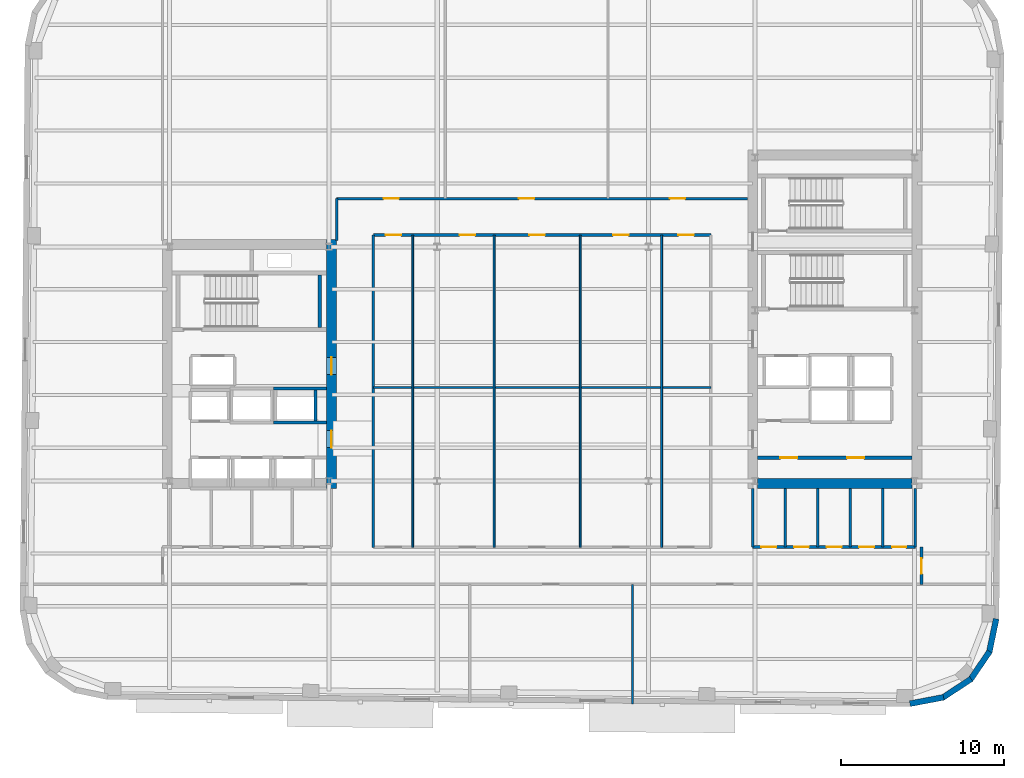
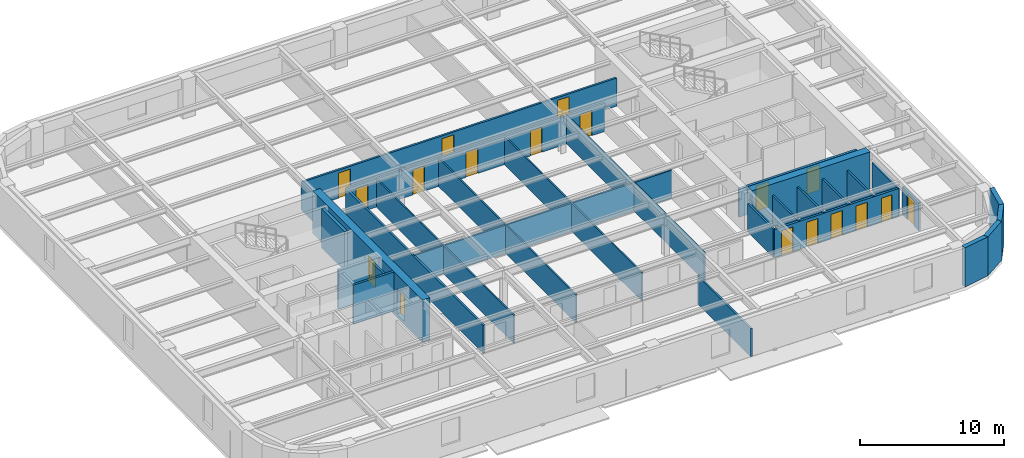
# One storey, part 5 of 11: 29 walls, 18 doors, 18 openings.
"""IFC4 building model written with IfcOpenShell, lengths in metres."""

from ifc_helpers import new_model, si_unit, direction, frame, frame_2d, origin, place, context, subcontext, project, spatial, rectangle, extrude, material, layer, layer_set, type_object, element, fill, save


model = new_model("IFC4")

# Units and contexts
model_context = context("Model", 3, precision=1e-05, world=origin(), true_north=direction((0.0, 1.0)))
body_context = subcontext(model_context, "Body", "Model", "MODEL_VIEW")
ifc_project = project(units=[si_unit("LENGTHUNIT", "METRE"), si_unit("AREAUNIT", "SQUARE_METRE"), si_unit("VOLUMEUNIT", "CUBIC_METRE"), si_unit("PLANEANGLEUNIT", "RADIAN"), si_unit("MASSUNIT", "GRAM", prefix="KILO")], contexts=[model_context])

# Site, building, storey
site_placement = place(None, origin())
site = spatial("IfcSite", under=ifc_project, at=site_placement, CompositionType="ELEMENT")
building_placement = place(site_placement, origin())
building = spatial("IfcBuilding", under=site, at=building_placement, Name="Kolvaren Arena Tower", CompositionType="ELEMENT")
storey_placement = place(building_placement, frame((0.0, 0.0, 207.199951171875)))
storey = spatial("IfcBuildingStorey", under=building, at=storey_placement, Name="L50", CompositionType="ELEMENT", Elevation=207.199951171875)

# Wall
ifc_material_1 = material(Name="Gypsum board acoustic assembly", Category="gypsum")
ifc_layer_1 = layer(ifc_material_1, 0.159912109375)
ifc_layer_set_1 = layer_set([ifc_layer_1], Name="Gypsum board acoustic assembly")
wall_type_1 = type_object("IfcWallType", Name="CORR-160", PredefinedType="PARTITIONING", material=ifc_layer_set_1)
wall_1_placement = place(storey_placement, frame((24.820068359375, 34.25, 0.0), z_axis=(0.0, 0.0, 1.0), x_axis=(0.0, 1.0, 0.0)))
element("IfcWall", 1, at=wall_1_placement, inside=storey, type_object=wall_type_1, Name="Interior Partition Wall (L50)", PredefinedType="PARTITIONING", context=body_context, shape_type="SweptSolid", body=[
    extrude(rectangle(XDim=2.570068359375, YDim=0.159912109375, at=frame_2d((1.28515625, 0.0))), origin(), (0.0, 0.0, 1.0), 2.39013671875),
])

# Wall, openings, doors
wall_2_placement = place(storey_placement, frame((24.820068359375, 36.820068359375, 0.0), z_axis=(0.0, 0.0, 1.0), x_axis=(1.0, 0.0, 0.0)))
wall_2 = element("IfcWall", 2, at=wall_2_placement, inside=storey, type_object=wall_type_1, Name="Interior Partition Wall (L50)", PredefinedType="PARTITIONING", context=body_context, shape_type="SweptSolid", body=[
    extrude(rectangle(XDim=25.260009765625, YDim=0.159912109375, at=frame_2d((12.6298828125, 0.0))), origin(), (0.0, 0.0, 1.0), 2.39013671875),
])
opening_1_placement = place(wall_2_placement, frame((2.8798828125, 0.0, 0.0)))
opening_1 = element("IfcOpeningElement", 3, at=opening_1_placement, cuts=wall_2, Name="Opening D05", PredefinedType="OPENING", context=body_context, shape_type="SweptSolid", body=[
    extrude(rectangle(XDim=0.949951171875, YDim=2.14990234375, at=frame_2d((0.47509765625, 1.074951171875))), frame((0.0, 0.08984375, 0.0), z_axis=(0.0, -1.0, 0.0), x_axis=(1.0, 0.0, 0.0)), (0.0, 0.0, 1.0), 0.179931640625),
])
opening_2_placement = place(wall_2_placement, frame((11.205078125, 0.0, 0.0)))
opening_2 = element("IfcOpeningElement", 4, at=opening_2_placement, cuts=wall_2, Name="Opening D05", PredefinedType="OPENING", context=body_context, shape_type="SweptSolid", body=[
    extrude(rectangle(XDim=0.949951171875, YDim=2.14990234375, at=frame_2d((0.47509765625, 1.074951171875))), frame((0.0, 0.08984375, 0.0), z_axis=(0.0, -1.0, 0.0), x_axis=(1.0, 0.0, 0.0)), (0.0, 0.0, 1.0), 0.179931640625),
])
opening_3_placement = place(wall_2_placement, frame((20.47998046875, 0.0, 0.0)))
opening_3 = element("IfcOpeningElement", 5, at=opening_3_placement, cuts=wall_2, Name="Opening D05", PredefinedType="OPENING", context=body_context, shape_type="SweptSolid", body=[
    extrude(rectangle(XDim=0.949951171875, YDim=2.14990234375, at=frame_2d((0.47509765625, 1.074951171875))), frame((0.0, 0.08984375, 0.0), z_axis=(0.0, -1.0, 0.0), x_axis=(1.0, 0.0, 0.0)), (0.0, 0.0, 1.0), 0.179931640625),
])
ifc_material_2 = material(Name="Solid-core oak acoustic office door", Category="wood")
door_type_1 = type_object("IfcDoorType", Name="DOOR-OF-095", OperationType="NOTDEFINED", PredefinedType="DOOR", material=ifc_material_2)
door_1_placement = place(opening_1_placement, origin())
door_1 = element("IfcDoor", 6, at=door_1_placement, inside=storey, type_object=door_type_1, Name="Open Plan Office Door (L50)", OperationType="SINGLE_SWING_LEFT", OverallHeight=2.14990234375, OverallWidth=0.949951171875, PredefinedType="DOOR", context=body_context, shape_type="SweptSolid", body=[
    extrude(rectangle(XDim=0.949951171875, YDim=2.14990234375, at=frame_2d((0.47509765625, 1.074951171875))), frame((0.0, 0.02490234375, 0.0), z_axis=(0.0, -1.0, 0.0), x_axis=(1.0, 0.0, 0.0)), (0.0, 0.0, 1.0), 0.050048828125),
])
fill(opening_1, door_1)
door_2_placement = place(opening_2_placement, origin())
door_2 = element("IfcDoor", 7, at=door_2_placement, inside=storey, type_object=door_type_1, Name="Corporate Project Office Door (L50)", OperationType="SINGLE_SWING_RIGHT", OverallHeight=2.14990234375, OverallWidth=0.949951171875, PredefinedType="DOOR", context=body_context, shape_type="SweptSolid", body=[
    extrude(rectangle(XDim=0.949951171875, YDim=2.14990234375, at=frame_2d((0.47509765625, 1.074951171875))), frame((0.0, 0.02490234375, 0.0), z_axis=(0.0, -1.0, 0.0), x_axis=(1.0, 0.0, 0.0)), (0.0, 0.0, 1.0), 0.050048828125),
])
fill(opening_2, door_2)
door_3_placement = place(opening_3_placement, origin())
door_3 = element("IfcDoor", 8, at=door_3_placement, inside=storey, type_object=door_type_1, Name="Breakout Pantry and Kitchen Door (L50)", OperationType="SINGLE_SWING_LEFT", OverallHeight=2.14990234375, OverallWidth=0.949951171875, PredefinedType="DOOR", context=body_context, shape_type="SweptSolid", body=[
    extrude(rectangle(XDim=0.949951171875, YDim=2.14990234375, at=frame_2d((0.47509765625, 1.074951171875))), frame((0.0, 0.02490234375, 0.0), z_axis=(0.0, -1.0, 0.0), x_axis=(1.0, 0.0, 0.0)), (0.0, 0.0, 1.0), 0.050048828125),
])
fill(opening_3, door_3)

wall_3_placement = place(storey_placement, frame((27.080078125, 34.580078125, 0.0), z_axis=(0.0, 0.0, 1.0), x_axis=(1.0, 0.0, 0.0)))
wall_3 = element("IfcWall", 9, at=wall_3_placement, inside=storey, type_object=wall_type_1, Name="Interior Partition Wall (L50)", PredefinedType="PARTITIONING", context=body_context, shape_type="SweptSolid", body=[
    extrude(rectangle(XDim=20.739990234375, YDim=0.159912109375, at=frame_2d((10.3701171875, 0.0))), origin(), (0.0, 0.0, 1.0), 2.39013671875),
])
opening_4_placement = place(wall_3_placement, frame((0.7451171875, 0.0, 0.0)))
opening_4 = element("IfcOpeningElement", 10, at=opening_4_placement, cuts=wall_3, Name="Opening D05", PredefinedType="OPENING", context=body_context, shape_type="SweptSolid", body=[
    extrude(rectangle(XDim=0.949951171875, YDim=2.14990234375, at=frame_2d((0.47509765625, 1.074951171875))), frame((0.0, 0.08984375, 0.0), z_axis=(0.0, -1.0, 0.0), x_axis=(1.0, 0.0, 0.0)), (0.0, 0.0, 1.0), 0.179931640625),
])
opening_5_placement = place(wall_3_placement, frame((5.294921875, 0.0, 0.0)))
opening_5 = element("IfcOpeningElement", 11, at=opening_5_placement, cuts=wall_3, Name="Opening D05", PredefinedType="OPENING", context=body_context, shape_type="SweptSolid", body=[
    extrude(rectangle(XDim=0.949951171875, YDim=2.14990234375, at=frame_2d((0.47509765625, 1.074951171875))), frame((0.0, 0.08984375, 0.0), z_axis=(0.0, -1.0, 0.0), x_axis=(1.0, 0.0, 0.0)), (0.0, 0.0, 1.0), 0.179931640625),
])
opening_6_placement = place(wall_3_placement, frame((9.594970703125, 0.0, 0.0)))
opening_6 = element("IfcOpeningElement", 12, at=opening_6_placement, cuts=wall_3, Name="Opening D05", PredefinedType="OPENING", context=body_context, shape_type="SweptSolid", body=[
    extrude(rectangle(XDim=0.949951171875, YDim=2.14990234375, at=frame_2d((0.47509765625, 1.074951171875))), frame((0.0, 0.08984375, 0.0), z_axis=(0.0, -1.0, 0.0), x_axis=(1.0, 0.0, 0.0)), (0.0, 0.0, 1.0), 0.179931640625),
])
opening_7_placement = place(wall_3_placement, frame((14.7451171875, 0.0, 0.0)))
opening_7 = element("IfcOpeningElement", 13, at=opening_7_placement, cuts=wall_3, Name="Opening D05", PredefinedType="OPENING", context=body_context, shape_type="SweptSolid", body=[
    extrude(rectangle(XDim=0.949951171875, YDim=2.14990234375, at=frame_2d((0.47509765625, 1.074951171875))), frame((0.0, 0.08984375, 0.0), z_axis=(0.0, -1.0, 0.0), x_axis=(1.0, 0.0, 0.0)), (0.0, 0.0, 1.0), 0.179931640625),
])
opening_8_placement = place(wall_3_placement, frame((18.7451171875, 0.0, 0.0)))
opening_8 = element("IfcOpeningElement", 14, at=opening_8_placement, cuts=wall_3, Name="Opening D05", PredefinedType="OPENING", context=body_context, shape_type="SweptSolid", body=[
    extrude(rectangle(XDim=0.949951171875, YDim=2.14990234375, at=frame_2d((0.47509765625, 1.074951171875))), frame((0.0, 0.08984375, 0.0), z_axis=(0.0, -1.0, 0.0), x_axis=(1.0, 0.0, 0.0)), (0.0, 0.0, 1.0), 0.179931640625),
])
door_4_placement = place(opening_4_placement, origin())
door_4 = element("IfcDoor", 15, at=door_4_placement, inside=storey, type_object=door_type_1, Name="Design Studio Door (L50)", OperationType="SINGLE_SWING_RIGHT", OverallHeight=2.14990234375, OverallWidth=0.949951171875, PredefinedType="DOOR", context=body_context, shape_type="SweptSolid", body=[
    extrude(rectangle(XDim=0.949951171875, YDim=2.14990234375, at=frame_2d((0.47509765625, 1.074951171875))), frame((0.0, 0.02490234375, 0.0), z_axis=(0.0, -1.0, 0.0), x_axis=(1.0, 0.0, 0.0)), (0.0, 0.0, 1.0), 0.050048828125),
])
fill(opening_4, door_4)
door_5_placement = place(opening_5_placement, origin())
door_5 = element("IfcDoor", 16, at=door_5_placement, inside=storey, type_object=door_type_1, Name="Design Studio Door (L50)", OperationType="SINGLE_SWING_RIGHT", OverallHeight=2.14990234375, OverallWidth=0.949951171875, PredefinedType="DOOR", context=body_context, shape_type="SweptSolid", body=[
    extrude(rectangle(XDim=0.949951171875, YDim=2.14990234375, at=frame_2d((0.47509765625, 1.074951171875))), frame((0.0, 0.02490234375, 0.0), z_axis=(0.0, -1.0, 0.0), x_axis=(1.0, 0.0, 0.0)), (0.0, 0.0, 1.0), 0.050048828125),
])
fill(opening_5, door_5)
door_6_placement = place(opening_6_placement, origin())
door_6 = element("IfcDoor", 17, at=door_6_placement, inside=storey, type_object=door_type_1, Name="Boardroom Door (L50)", OperationType="SINGLE_SWING_RIGHT", OverallHeight=2.14990234375, OverallWidth=0.949951171875, PredefinedType="DOOR", context=body_context, shape_type="SweptSolid", body=[
    extrude(rectangle(XDim=0.949951171875, YDim=2.14990234375, at=frame_2d((0.47509765625, 1.074951171875))), frame((0.0, 0.02490234375, 0.0), z_axis=(0.0, -1.0, 0.0), x_axis=(1.0, 0.0, 0.0)), (0.0, 0.0, 1.0), 0.050048828125),
])
fill(opening_6, door_6)
door_7_placement = place(opening_7_placement, origin())
door_7 = element("IfcDoor", 18, at=door_7_placement, inside=storey, type_object=door_type_1, Name="Design Studio Door (L50)", OperationType="SINGLE_SWING_RIGHT", OverallHeight=2.14990234375, OverallWidth=0.949951171875, PredefinedType="DOOR", context=body_context, shape_type="SweptSolid", body=[
    extrude(rectangle(XDim=0.949951171875, YDim=2.14990234375, at=frame_2d((0.47509765625, 1.074951171875))), frame((0.0, 0.02490234375, 0.0), z_axis=(0.0, -1.0, 0.0), x_axis=(1.0, 0.0, 0.0)), (0.0, 0.0, 1.0), 0.050048828125),
])
fill(opening_7, door_7)
door_8_placement = place(opening_8_placement, origin())
door_8 = element("IfcDoor", 19, at=door_8_placement, inside=storey, type_object=door_type_1, Name="Design Studio Door (L50)", OperationType="SINGLE_SWING_RIGHT", OverallHeight=2.14990234375, OverallWidth=0.949951171875, PredefinedType="DOOR", context=body_context, shape_type="SweptSolid", body=[
    extrude(rectangle(XDim=0.949951171875, YDim=2.14990234375, at=frame_2d((0.47509765625, 1.074951171875))), frame((0.0, 0.02490234375, 0.0), z_axis=(0.0, -1.0, 0.0), x_axis=(1.0, 0.0, 0.0)), (0.0, 0.0, 1.0), 0.050048828125),
])
fill(opening_8, door_8)

# Wall
wall_4_placement = place(storey_placement, frame((27.080078125, 15.3798828125, 0.0), z_axis=(0.0, 0.0, 1.0), x_axis=(0.0, 1.0, 0.0)))
element("IfcWall", 20, at=wall_4_placement, inside=storey, type_object=wall_type_1, Name="Interior Partition Wall (L50)", PredefinedType="PARTITIONING", context=body_context, shape_type="SweptSolid", body=[
    extrude(rectangle(XDim=19.2001953125, YDim=0.159912109375, at=frame_2d((9.60009765625, 0.0))), origin(), (0.0, 0.0, 1.0), 2.39013671875),
])

# Wall, opening, door
wall_5_placement = place(storey_placement, frame((60.780029296875, 13.10009765625, 0.0), z_axis=(0.0, 0.0, 1.0), x_axis=(0.0, 1.0, 0.0)))
wall_5 = element("IfcWall", 21, at=wall_5_placement, inside=storey, type_object=wall_type_1, Name="Interior Partition Wall (L50)", PredefinedType="PARTITIONING", context=body_context, shape_type="SweptSolid", body=[
    extrude(rectangle(XDim=2.2998046875, YDim=0.159912109375, at=frame_2d((1.14990234375, 0.0))), origin(), (0.0, 0.0, 1.0), 2.39013671875),
])
opening_9_placement = place(wall_5_placement, frame((0.64990234375, 0.0, 0.0)))
opening_9 = element("IfcOpeningElement", 22, at=opening_9_placement, cuts=wall_5, Name="Opening D05", PredefinedType="OPENING", context=body_context, shape_type="SweptSolid", body=[
    extrude(rectangle(XDim=0.949951171875, YDim=2.14990234375, at=frame_2d((0.47509765625, 1.074951171875))), frame((0.0, 0.08984375, 0.0), z_axis=(0.0, -1.0, 0.0), x_axis=(1.0, 0.0, 0.0)), (0.0, 0.0, 1.0), 0.179931640625),
])
door_9_placement = place(opening_9_placement, origin())
door_9 = element("IfcDoor", 23, at=door_9_placement, inside=storey, type_object=door_type_1, Name="East Wing Studio Door (L50)", OperationType="SINGLE_SWING_RIGHT", OverallHeight=2.14990234375, OverallWidth=0.949951171875, PredefinedType="DOOR", context=body_context, shape_type="SweptSolid", body=[
    extrude(rectangle(XDim=0.949951171875, YDim=2.14990234375, at=frame_2d((0.47509765625, 1.074951171875))), frame((0.0, 0.02490234375, 0.0), z_axis=(0.0, -1.0, 0.0), x_axis=(1.0, 0.0, 0.0)), (0.0, 0.0, 1.0), 0.050048828125),
])
fill(opening_9, door_9)

# Wall, openings, doors
ifc_material_3 = material(Name="Concrete 60 MPa", Category="concrete")
ifc_layer_2 = layer(ifc_material_3, 0.60009765625)
ifc_layer_set_2 = layer_set([ifc_layer_2], Name="Concrete 60 MPa")
wall_type_2 = type_object("IfcWallType", Name="CWALL-600", PredefinedType="SHEAR", material=ifc_layer_set_2)
wall_6_placement = place(storey_placement, frame((24.5, 19.0, -0.27001953125), z_axis=(0.0, 0.0, 1.0), x_axis=(0.0, 1.0, 0.0)))
wall_6 = element("IfcWall", 24, at=wall_6_placement, inside=storey, type_object=wall_type_2, Name="Core Shear Wall WC-EAST (L50)", PredefinedType="SHEAR", context=body_context, shape_type="SweptSolid", body=[
    extrude(rectangle(XDim=15.300048828125, YDim=0.60009765625, at=frame_2d((7.64990234375, 0.0))), origin(), (0.0, 0.0, 1.0), 3.60009765625),
])
opening_10_placement = place(wall_6_placement, frame((2.5, 0.0, 0.27001953125)))
opening_10 = element("IfcOpeningElement", 25, at=opening_10_placement, cuts=wall_6, Name="Opening D04", PredefinedType="OPENING", context=body_context, shape_type="SweptSolid", body=[
    extrude(rectangle(XDim=1.050048828125, YDim=2.14990234375, at=frame_2d((0.52490234375, 1.074951171875))), frame((0.0, 0.31005859375, 0.0), z_axis=(0.0, -1.0, 0.0), x_axis=(1.0, 0.0, 0.0)), (0.0, 0.0, 1.0), 0.6201171875),
])
opening_11_placement = place(wall_6_placement, frame((7.0, 0.0, 0.27001953125)))
opening_11 = element("IfcOpeningElement", 26, at=opening_11_placement, cuts=wall_6, Name="Opening D04", PredefinedType="OPENING", context=body_context, shape_type="SweptSolid", body=[
    extrude(rectangle(XDim=1.050048828125, YDim=2.14990234375, at=frame_2d((0.52490234375, 1.074951171875))), frame((0.0, 0.31005859375, 0.0), z_axis=(0.0, -1.0, 0.0), x_axis=(1.0, 0.0, 0.0)), (0.0, 0.0, 1.0), 0.6201171875),
])
ifc_material_4 = material(Name="Fire-rated steel lobby door", Category="steel")
door_type_2 = type_object("IfcDoorType", Name="DOOR-FF-105", OperationType="NOTDEFINED", PredefinedType="DOOR", material=ifc_material_4)
door_10_placement = place(opening_10_placement, origin())
door_10 = element("IfcDoor", 27, at=door_10_placement, inside=storey, type_object=door_type_2, Name="West Lift Lobby Fire Door (L50)", OperationType="SINGLE_SWING_LEFT", OverallHeight=2.14990234375, OverallWidth=1.050048828125, PredefinedType="DOOR", context=body_context, shape_type="SweptSolid", body=[
    extrude(rectangle(XDim=1.050048828125, YDim=2.14990234375, at=frame_2d((0.52490234375, 1.074951171875))), frame((0.0, 0.02490234375, 0.0), z_axis=(0.0, -1.0, 0.0), x_axis=(1.0, 0.0, 0.0)), (0.0, 0.0, 1.0), 0.050048828125),
])
fill(opening_10, door_10)
door_11_placement = place(opening_11_placement, origin())
door_11 = element("IfcDoor", 28, at=door_11_placement, inside=storey, type_object=door_type_2, Name="West Firefighter Vestibule Door (L50)", OperationType="SINGLE_SWING_RIGHT", OverallHeight=2.14990234375, OverallWidth=1.050048828125, PredefinedType="DOOR", context=body_context, shape_type="SweptSolid", body=[
    extrude(rectangle(XDim=1.050048828125, YDim=2.14990234375, at=frame_2d((0.52490234375, 1.074951171875))), frame((0.0, 0.02490234375, 0.0), z_axis=(0.0, -1.0, 0.0), x_axis=(1.0, 0.0, 0.0)), (0.0, 0.0, 1.0), 0.050048828125),
])
fill(opening_11, door_11)

# Walls
wall_7_placement = place(storey_placement, frame((50.699951171875, 19.300048828125, -0.27001953125), z_axis=(0.0, 0.0, 1.0), x_axis=(1.0, 0.0, 0.0)))
element("IfcWall", 29, at=wall_7_placement, inside=storey, type_object=wall_type_2, Name="Core Shear Wall EC-SOUTH (L50)", PredefinedType="SHEAR", context=body_context, shape_type="SweptSolid", body=[
    extrude(rectangle(XDim=9.5, YDim=0.60009765625, at=frame_2d((4.75, 0.0))), origin(), (0.0, 0.0, 1.0), 3.60009765625),
])
ifc_material_5 = material(Name="Precast concrete C50/60", Category="concrete")
ifc_layer_3 = layer(ifc_material_5, 0.360107421875)
ifc_layer_set_3 = layer_set([ifc_layer_3], Name="Precast concrete C50/60")
wall_type_3 = type_object("IfcWallType", Name="EXT-PIER2", PredefinedType="SOLIDWALL", material=ifc_layer_set_3)
wall_8_placement = place(storey_placement, frame((62.136474609375, 6.155029296875, 0.0), z_axis=(0.0, 0.0, 1.0), x_axis=(-0.98246713518, -0.186435855703, 0.0)))
element("IfcWall", 30, at=wall_8_placement, inside=storey, type_object=wall_type_3, Name="Exterior Precast Masonry-Frame Wall (L50)", PredefinedType="SOLIDWALL", context=body_context, shape_type="SweptSolid", body=[
    extrude(rectangle(XDim=2.10693359375, YDim=0.360107421875, at=frame_2d((1.053466796875, 0.0))), origin(), (0.0, 0.0, 1.0), 3.330078125),
])
wall_9_placement = place(storey_placement, frame((63.83349609375, 7.2841796875, 0.0), z_axis=(0.0, 0.0, 1.0), x_axis=(-0.836303589916, -0.548266637224, 0.0)))
element("IfcWall", 31, at=wall_9_placement, inside=storey, type_object=wall_type_3, Name="Exterior Precast Masonry-Frame Wall (L50)", PredefinedType="SOLIDWALL", context=body_context, shape_type="SweptSolid", body=[
    extrude(rectangle(XDim=2.107177734375, YDim=0.360107421875, at=frame_2d((1.0537109375, 0.0))), origin(), (0.0, 0.0, 1.0), 3.330078125),
])
for number, where, z_axis, x_axis, name in (
    (32, (64.968994140625, 8.9765625, 0.0), (0.0, 0.0, 1.0), (-0.56277581689, -0.826609569219, 0.0), "Exterior Precast Masonry-Frame Wall (L50)"),
    (33, (65.370849609375, 10.974609375, 0.0), (0.0, 0.0, 1.0), (-0.203709000552, -0.979031482177, 0.0), "Exterior Precast Masonry-Frame Wall (L50)"),
):
    element("IfcWall", number, at=place(storey_placement, frame(where, z_axis=z_axis, x_axis=x_axis)), inside=storey, type_object=wall_type_3, Name=name, PredefinedType="SOLIDWALL", context=body_context, shape_type="SweptSolid", body=[
        extrude(rectangle(XDim=2.10693359375, YDim=0.360107421875, at=frame_2d((1.053466796875, 0.0))), origin(), (0.0, 0.0, 1.0), 3.330078125),
    ])

# Wall, openings, doors
ifc_material_6 = material(Name="Concrete 40 MPa", Category="concrete")
ifc_layer_4 = layer(ifc_material_6, 0.199951171875)
ifc_layer_set_4 = layer_set([ifc_layer_4], Name="Concrete 40 MPa")
wall_type_4 = type_object("IfcWallType", Name="LOBBY-200", PredefinedType="SOLIDWALL", material=ifc_layer_set_4)
wall_10_placement = place(storey_placement, frame((50.699951171875, 20.8798828125, 0.0), z_axis=(0.0, 0.0, 1.0), x_axis=(1.0, 0.0, 0.0)))
wall_10 = element("IfcWall", 34, at=wall_10_placement, inside=storey, type_object=wall_type_4, Name="Core Shaft Wall (L50)", PredefinedType="SOLIDWALL", context=body_context, shape_type="SweptSolid", body=[
    extrude(rectangle(XDim=9.5, YDim=0.199951171875, at=frame_2d((4.75, 0.0))), origin(), (0.0, 0.0, 1.0), 2.39013671875),
])
opening_12_placement = place(wall_10_placement, frame((1.39990234375, 0.0, 0.0)))
opening_12 = element("IfcOpeningElement", 35, at=opening_12_placement, cuts=wall_10, Name="Opening D04", PredefinedType="OPENING", context=body_context, shape_type="SweptSolid", body=[
    extrude(rectangle(XDim=1.050048828125, YDim=2.14990234375, at=frame_2d((0.52490234375, 1.074951171875))), frame((0.0, 0.10986328125, 0.0), z_axis=(0.0, -1.0, 0.0), x_axis=(1.0, 0.0, 0.0)), (0.0, 0.0, 1.0), 0.219970703125),
])
opening_13_placement = place(wall_10_placement, frame((5.5, 0.0, 0.0)))
opening_13 = element("IfcOpeningElement", 36, at=opening_13_placement, cuts=wall_10, Name="Opening D04", PredefinedType="OPENING", context=body_context, shape_type="SweptSolid", body=[
    extrude(rectangle(XDim=1.050048828125, YDim=2.14990234375, at=frame_2d((0.52490234375, 1.074951171875))), frame((0.0, 0.10986328125, 0.0), z_axis=(0.0, -1.0, 0.0), x_axis=(1.0, 0.0, 0.0)), (0.0, 0.0, 1.0), 0.219970703125),
])
door_12_placement = place(opening_12_placement, origin())
door_12 = element("IfcDoor", 37, at=door_12_placement, inside=storey, type_object=door_type_2, Name="East Telecom Room Fire Door (L50)", OperationType="SINGLE_SWING_RIGHT", OverallHeight=2.14990234375, OverallWidth=1.050048828125, PredefinedType="DOOR", context=body_context, shape_type="SweptSolid", body=[
    extrude(rectangle(XDim=1.050048828125, YDim=2.14990234375, at=frame_2d((0.52490234375, 1.074951171875))), frame((0.0, 0.02490234375, 0.0), z_axis=(0.0, -1.0, 0.0), x_axis=(1.0, 0.0, 0.0)), (0.0, 0.0, 1.0), 0.050048828125),
])
fill(opening_12, door_12)
door_13_placement = place(opening_13_placement, origin())
door_13 = element("IfcDoor", 38, at=door_13_placement, inside=storey, type_object=door_type_2, Name="East Records Room Fire Door (L50)", OperationType="SINGLE_SWING_LEFT", OverallHeight=2.14990234375, OverallWidth=1.050048828125, PredefinedType="DOOR", context=body_context, shape_type="SweptSolid", body=[
    extrude(rectangle(XDim=1.050048828125, YDim=2.14990234375, at=frame_2d((0.52490234375, 1.074951171875))), frame((0.0, 0.02490234375, 0.0), z_axis=(0.0, -1.0, 0.0), x_axis=(1.0, 0.0, 0.0)), (0.0, 0.0, 1.0), 0.050048828125),
])
fill(opening_13, door_13)

# Walls
ifc_material_7 = material(Name="Gypsum board partition assembly", Category="gypsum")
ifc_layer_5 = layer(ifc_material_7, 0.114990234375)
ifc_layer_set_5 = layer_set([ifc_layer_5], Name="Gypsum board partition assembly")
wall_type_5 = type_object("IfcWallType", Name="PART-115", PredefinedType="PARTITIONING", material=ifc_layer_set_5)
for number, where, z_axis, x_axis, name in (
    (39, (29.5, 15.3798828125, 0.0), (0.0, 0.0, 1.0), (0.0, 1.0, 0.0), "Interior Partition Wall (L50)"),
    (40, (34.5, 15.3798828125, 0.0), (0.0, 0.0, 1.0), (0.0, 1.0, 0.0), "Interior Partition Wall (L50)"),
    (41, (39.800048828125, 15.3798828125, 0.0), (0.0, 0.0, 1.0), (0.0, 1.0, 0.0), "Interior Partition Wall (L50)"),
    (42, (44.800048828125, 15.3798828125, 0.0), (0.0, 0.0, 1.0), (0.0, 1.0, 0.0), "Interior Partition Wall (L50)"),
):
    element("IfcWall", number, at=place(storey_placement, frame(where, z_axis=z_axis, x_axis=x_axis)), inside=storey, type_object=wall_type_5, Name=name, PredefinedType="PARTITIONING", context=body_context, shape_type="SweptSolid", body=[
        extrude(rectangle(XDim=19.2001953125, YDim=0.114990234375, at=frame_2d((9.60009765625, 0.0))), origin(), (0.0, 0.0, 1.0), 2.39013671875),
    ])
ifc_layer_6 = layer(ifc_material_7, 0.135009765625)
ifc_layer_set_6 = layer_set([ifc_layer_6], Name="Gypsum board partition assembly")
wall_type_6 = type_object("IfcWallType", Name="PART-135", PredefinedType="PARTITIONING", material=ifc_layer_set_6)
wall_11_placement = place(storey_placement, frame((43.0, 5.734619140625, 0.0), z_axis=(0.0, 0.0, 1.0), x_axis=(0.0, 1.0, 0.0)))
element("IfcWall", 43, at=wall_11_placement, inside=storey, type_object=wall_type_6, Name="Interior Partition Wall (L50)", PredefinedType="PARTITIONING", context=body_context, shape_type="SweptSolid", body=[
    extrude(rectangle(XDim=7.365478515625, YDim=0.135009765625, at=frame_2d((3.6826171875, 0.0))), origin(), (0.0, 0.0, 1.0), 2.39013671875),
])
wall_12_placement = place(storey_placement, frame((27.080078125, 25.199951171875, 0.0), z_axis=(0.0, 0.0, 1.0), x_axis=(1.0, 0.0, 0.0)))
element("IfcWall", 44, at=wall_12_placement, inside=storey, type_object=wall_type_6, Name="Interior Partition Wall (L50)", PredefinedType="PARTITIONING", context=body_context, shape_type="SweptSolid", body=[
    extrude(rectangle(XDim=20.739990234375, YDim=0.135009765625, at=frame_2d((10.3701171875, 0.0))), origin(), (0.0, 0.0, 1.0), 2.39013671875),
])
ifc_material_8 = material(Name="Concrete 45 MPa", Category="concrete")
ifc_layer_7 = layer(ifc_material_8, 0.25)
ifc_layer_set_7 = layer_set([ifc_layer_7], Name="Concrete 45 MPa")
wall_type_7 = type_object("IfcWallType", Name="SHAFT-250", PredefinedType="SOLIDWALL", material=ifc_layer_set_7)
wall_13_placement = place(storey_placement, frame((23.780029296875, 28.89990234375, 0.0), z_axis=(0.0, 0.0, 1.0), x_axis=(0.0, 1.0, 0.0)))
element("IfcWall", 45, at=wall_13_placement, inside=storey, type_object=wall_type_7, Name="Core Shaft Wall (L50)", PredefinedType="SOLIDWALL", context=body_context, shape_type="SweptSolid", body=[
    extrude(rectangle(XDim=3.22998046875, YDim=0.239990234375, at=frame_2d((1.614990234375, 0.0))), origin(), (0.0, 0.0, 1.0), 3.330078125),
])
for number, where, z_axis, x_axis, name in (
    (46, (20.949951171875, 25.155029296875, 0.0), (0.0, 0.0, 1.0), (1.0, 0.0, 0.0), "Core Shaft Wall (L50)"),
    (47, (20.949951171875, 23.044921875, 0.0), (0.0, 0.0, 1.0), (1.0, 0.0, 0.0), "Core Shaft Wall (L50)"),
):
    element("IfcWall", number, at=place(storey_placement, frame(where, z_axis=z_axis, x_axis=x_axis)), inside=storey, type_object=wall_type_7, Name=name, PredefinedType="SOLIDWALL", context=body_context, shape_type="SweptSolid", body=[
        extrude(rectangle(XDim=3.25, YDim=0.179931640625, at=frame_2d((1.625, 0.0))), origin(), (0.0, 0.0, 1.0), 3.330078125),
    ])
wall_14_placement = place(storey_placement, frame((23.530029296875, 23.135009765625, 0.0), z_axis=(0.0, 0.0, 1.0), x_axis=(0.0, 1.0, 0.0)))
element("IfcWall", 48, at=wall_14_placement, inside=storey, type_object=wall_type_7, Name="Core Shaft Wall (L50)", PredefinedType="SOLIDWALL", context=body_context, shape_type="SweptSolid", body=[
    extrude(rectangle(XDim=1.929931640625, YDim=0.179931640625, at=frame_2d((0.96484375, 0.0))), origin(), (0.0, 0.0, 1.0), 3.330078125),
])

# Wall, openings, doors
wall_15_placement = place(storey_placement, frame((50.39990234375, 15.39990234375, 0.0), z_axis=(0.0, 0.0, 1.0), x_axis=(1.0, 0.0, 0.0)))
wall_15 = element("IfcWall", 49, at=wall_15_placement, inside=storey, type_object=wall_type_7, Name="Interior Partition Wall (L50)", PredefinedType="SOLIDWALL", context=body_context, shape_type="SweptSolid", body=[
    extrude(rectangle(XDim=10.0, YDim=0.179931640625, at=frame_2d((5.0, 0.0))), origin(), (0.0, 0.0, 1.0), 2.39013671875),
])
opening_14_placement = place(wall_15_placement, frame((0.5400390625, 0.0, 0.0)))
opening_14 = element("IfcOpeningElement", 50, at=opening_14_placement, cuts=wall_15, Name="Opening D07", PredefinedType="OPENING", context=body_context, shape_type="SweptSolid", body=[
    extrude(rectangle(XDim=0.919921875, YDim=2.10009765625, at=frame_2d((0.4599609375, 1.050048828125))), frame((0.0, 0.099853515625, 0.0), z_axis=(0.0, -1.0, 0.0), x_axis=(1.0, 0.0, 0.0)), (0.0, 0.0, 1.0), 0.199951171875),
])
opening_15_placement = place(wall_15_placement, frame((2.5400390625, 0.0, 0.0)))
opening_15 = element("IfcOpeningElement", 51, at=opening_15_placement, cuts=wall_15, Name="Opening D07", PredefinedType="OPENING", context=body_context, shape_type="SweptSolid", body=[
    extrude(rectangle(XDim=0.919921875, YDim=2.10009765625, at=frame_2d((0.4599609375, 1.050048828125))), frame((0.0, 0.099853515625, 0.0), z_axis=(0.0, -1.0, 0.0), x_axis=(1.0, 0.0, 0.0)), (0.0, 0.0, 1.0), 0.199951171875),
])
opening_16_placement = place(wall_15_placement, frame((4.5400390625, 0.0, 0.0)))
opening_16 = element("IfcOpeningElement", 52, at=opening_16_placement, cuts=wall_15, Name="Opening D07", PredefinedType="OPENING", context=body_context, shape_type="SweptSolid", body=[
    extrude(rectangle(XDim=0.919921875, YDim=2.10009765625, at=frame_2d((0.4599609375, 1.050048828125))), frame((0.0, 0.099853515625, 0.0), z_axis=(0.0, -1.0, 0.0), x_axis=(1.0, 0.0, 0.0)), (0.0, 0.0, 1.0), 0.199951171875),
])
opening_17_placement = place(wall_15_placement, frame((6.5400390625, 0.0, 0.0)))
opening_17 = element("IfcOpeningElement", 53, at=opening_17_placement, cuts=wall_15, Name="Opening D07", PredefinedType="OPENING", context=body_context, shape_type="SweptSolid", body=[
    extrude(rectangle(XDim=0.919921875, YDim=2.10009765625, at=frame_2d((0.4599609375, 1.050048828125))), frame((0.0, 0.099853515625, 0.0), z_axis=(0.0, -1.0, 0.0), x_axis=(1.0, 0.0, 0.0)), (0.0, 0.0, 1.0), 0.199951171875),
])
opening_18_placement = place(wall_15_placement, frame((8.570068359375, 0.0, 0.0)))
opening_18 = element("IfcOpeningElement", 54, at=opening_18_placement, cuts=wall_15, Name="Opening D09", PredefinedType="OPENING", context=body_context, shape_type="SweptSolid", body=[
    extrude(rectangle(XDim=0.860107421875, YDim=2.050048828125, at=frame_2d((0.43017578125, 1.02490234375))), frame((0.0, 0.099853515625, 0.0), z_axis=(0.0, -1.0, 0.0), x_axis=(1.0, 0.0, 0.0)), (0.0, 0.0, 1.0), 0.199951171875),
])
ifc_material_9 = material(Name="Fire-rated steel riser access door", Category="steel")
door_type_3 = type_object("IfcDoorType", Name="DOOR-RS-086", OperationType="NOTDEFINED", PredefinedType="DOOR", material=ifc_material_9)
door_14_placement = place(opening_18_placement, origin())
door_14 = element("IfcDoor", 55, at=door_14_placement, inside=storey, type_object=door_type_3, Name="Telecom Riser Closet Door (L50)", OperationType="SINGLE_SWING_RIGHT", OverallHeight=2.050048828125, OverallWidth=0.860107421875, PredefinedType="DOOR", context=body_context, shape_type="SweptSolid", body=[
    extrude(rectangle(XDim=0.860107421875, YDim=2.050048828125, at=frame_2d((0.43017578125, 1.02490234375))), frame((0.0, 0.02490234375, 0.0), z_axis=(0.0, -1.0, 0.0), x_axis=(1.0, 0.0, 0.0)), (0.0, 0.0, 1.0), 0.050048828125),
])
fill(opening_18, door_14)
ifc_material_10 = material(Name="Laminate universal washroom door", Category="wood")
door_type_4 = type_object("IfcDoorType", Name="DOOR-WC-092", OperationType="NOTDEFINED", PredefinedType="DOOR", material=ifc_material_10)
door_15_placement = place(opening_14_placement, origin())
door_15 = element("IfcDoor", 56, at=door_15_placement, inside=storey, type_object=door_type_4, Name="First Aid Store Door (L50)", OperationType="SINGLE_SWING_RIGHT", OverallHeight=2.10009765625, OverallWidth=0.919921875, PredefinedType="DOOR", context=body_context, shape_type="SweptSolid", body=[
    extrude(rectangle(XDim=0.919921875, YDim=2.10009765625, at=frame_2d((0.4599609375, 1.050048828125))), frame((0.0, 0.02490234375, 0.0), z_axis=(0.0, -1.0, 0.0), x_axis=(1.0, 0.0, 0.0)), (0.0, 0.0, 1.0), 0.050048828125),
])
fill(opening_14, door_15)
door_16_placement = place(opening_15_placement, origin())
door_16 = element("IfcDoor", 57, at=door_16_placement, inside=storey, type_object=door_type_4, Name="Cleaner and Janitor Store Door (L50)", OperationType="SINGLE_SWING_LEFT", OverallHeight=2.10009765625, OverallWidth=0.919921875, PredefinedType="DOOR", context=body_context, shape_type="SweptSolid", body=[
    extrude(rectangle(XDim=0.919921875, YDim=2.10009765625, at=frame_2d((0.4599609375, 1.050048828125))), frame((0.0, 0.02490234375, 0.0), z_axis=(0.0, -1.0, 0.0), x_axis=(1.0, 0.0, 0.0)), (0.0, 0.0, 1.0), 0.050048828125),
])
fill(opening_15, door_16)
door_17_placement = place(opening_16_placement, origin())
door_17 = element("IfcDoor", 58, at=door_17_placement, inside=storey, type_object=door_type_4, Name="Staff Pantry Door (L50)", OperationType="SINGLE_SWING_RIGHT", OverallHeight=2.10009765625, OverallWidth=0.919921875, PredefinedType="DOOR", context=body_context, shape_type="SweptSolid", body=[
    extrude(rectangle(XDim=0.919921875, YDim=2.10009765625, at=frame_2d((0.4599609375, 1.050048828125))), frame((0.0, 0.02490234375, 0.0), z_axis=(0.0, -1.0, 0.0), x_axis=(1.0, 0.0, 0.0)), (0.0, 0.0, 1.0), 0.050048828125),
])
fill(opening_16, door_17)
door_18_placement = place(opening_17_placement, origin())
door_18 = element("IfcDoor", 59, at=door_18_placement, inside=storey, type_object=door_type_4, Name="Gender-Neutral Washroom Door (L50)", OperationType="SINGLE_SWING_LEFT", OverallHeight=2.10009765625, OverallWidth=0.919921875, PredefinedType="DOOR", context=body_context, shape_type="SweptSolid", body=[
    extrude(rectangle(XDim=0.919921875, YDim=2.10009765625, at=frame_2d((0.4599609375, 1.050048828125))), frame((0.0, 0.02490234375, 0.0), z_axis=(0.0, -1.0, 0.0), x_axis=(1.0, 0.0, 0.0)), (0.0, 0.0, 1.0), 0.050048828125),
])
fill(opening_17, door_18)

# Walls
ifc_material_11 = material(Name="Moisture-resistant gypsum assembly", Category="gypsum")
ifc_layer_8 = layer(ifc_material_11, 0.14990234375)
ifc_layer_set_8 = layer_set([ifc_layer_8], Name="Moisture-resistant gypsum assembly")
wall_type_8 = type_object("IfcWallType", Name="WETW-150", PredefinedType="PARTITIONING", material=ifc_layer_set_8)
for number, where, z_axis, x_axis, name in (
    (60, (52.39990234375, 15.39990234375, 0.0), (0.0, 0.0, 1.0), (0.0, 1.0, 0.0), "Interior Partition Wall (L50)"),
    (61, (54.39990234375, 15.39990234375, 0.0), (0.0, 0.0, 1.0), (0.0, 1.0, 0.0), "Interior Partition Wall (L50)"),
    (62, (56.39990234375, 15.39990234375, 0.0), (0.0, 0.0, 1.0), (0.0, 1.0, 0.0), "Interior Partition Wall (L50)"),
    (63, (58.39990234375, 15.39990234375, 0.0), (0.0, 0.0, 1.0), (0.0, 1.0, 0.0), "Interior Partition Wall (L50)"),
    (64, (50.39990234375, 15.39990234375, 0.0), (0.0, 0.0, 1.0), (0.0, 1.0, 0.0), "Interior Partition Wall (L50)"),
    (65, (60.39990234375, 15.39990234375, 0.0), (0.0, 0.0, 1.0), (0.0, 1.0, 0.0), "Interior Partition Wall (L50)"),
):
    element("IfcWall", number, at=place(storey_placement, frame(where, z_axis=z_axis, x_axis=x_axis)), inside=storey, type_object=wall_type_8, Name=name, PredefinedType="PARTITIONING", context=body_context, shape_type="SweptSolid", body=[
        extrude(rectangle(XDim=3.580078125, YDim=0.14990234375, at=frame_2d((1.7900390625, 0.0))), origin(), (0.0, 0.0, 1.0), 2.39013671875),
    ])

save(model, "model.ifc")
